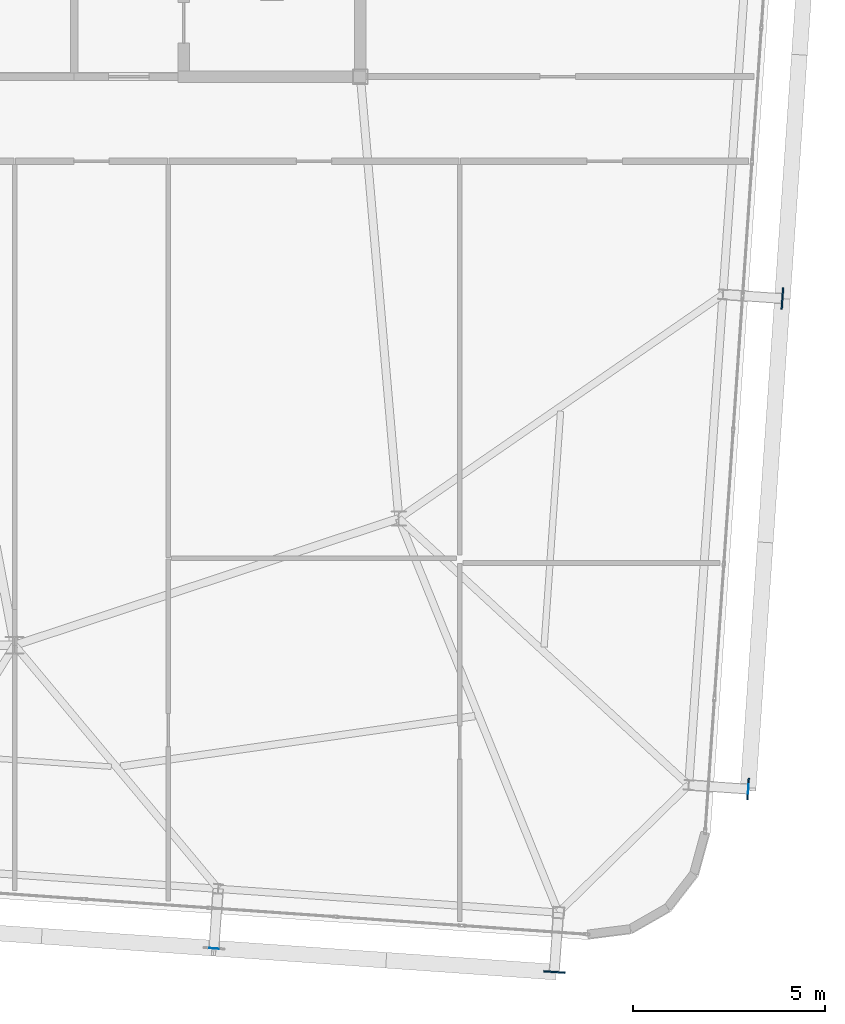
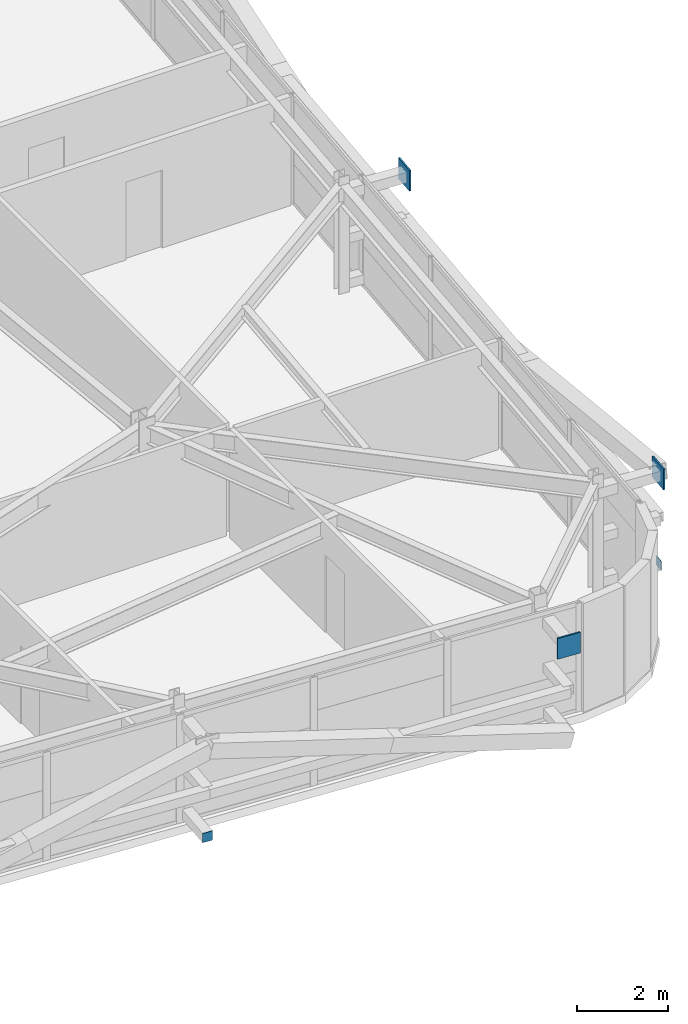
# One storey, part 36 of 47: 5 plates.
"""IFC4 building model written with IfcOpenShell, lengths in metres."""

from ifc_helpers import new_model, si_unit, direction, frame, origin, origin_2d, place, context, subcontext, project, spatial, rectangle, extrude, source, transform, mapped, material, layer, layer_set, type_object, element, save


model = new_model("IFC4")

# Units and contexts
model_context = context("Model", 3, precision=1e-05, world=origin(), true_north=direction((0.0, 1.0)))
body_context = subcontext(model_context, "Body", "Model", "MODEL_VIEW")
ifc_project = project(units=[si_unit("LENGTHUNIT", "METRE"), si_unit("AREAUNIT", "SQUARE_METRE"), si_unit("VOLUMEUNIT", "CUBIC_METRE"), si_unit("PLANEANGLEUNIT", "RADIAN"), si_unit("MASSUNIT", "GRAM", prefix="KILO")], contexts=[model_context])

# Site, building, storey
site_placement = place(None, origin())
site = spatial("IfcSite", under=ifc_project, at=site_placement, CompositionType="ELEMENT")
building_placement = place(site_placement, origin())
building = spatial("IfcBuilding", under=site, at=building_placement, Name="Taldren Reach Tower", CompositionType="ELEMENT")
storey_placement = place(building_placement, frame((0.0, 0.0, 142.449951171875)))
storey = spatial("IfcBuildingStorey", under=building, at=storey_placement, Name="L43", CompositionType="ELEMENT", Elevation=142.449951171875)

# Plates
ifc_material_1 = material(Name="Steel Gr 450 (C450L0)", Category="steel")
ifc_layer_1 = layer(ifc_material_1, 0.0400390625)
ifc_layer_set_1 = layer_set([ifc_layer_1], Name="Steel Gr 450 (C450L0)")
plate_type_1 = type_object("IfcPlateType", Name="PL-GUSSET-40", PredefinedType="SHEET", material=ifc_layer_set_1)
shared_shape_1 = source(origin(), body_context, "Body", "SweptSolid", [
    extrude(rectangle(XDim=0.56005859375, YDim=0.0400390625, at=origin_2d()), origin(), (0.0, 0.0, 1.0), 0.56005859375),
])
for number, where, z_axis, x_axis, name in (
    (1, (56.04736328125, 0.695068359375, 2.3701171875), (0.0, 0.0, 1.0), (0.99756405026, -0.069756473744, 0.0), "Exoskeleton star-node gusset plate B3-S6 L43"),
    (2, (61.091552734375, 5.454833984375, 2.3701171875), (0.0, 0.0, 1.0), (0.069756473744, 0.99756405026, 0.0), "Exoskeleton star-node gusset plate B3-E1 L43"),
    (3, (61.984375, 18.2236328125, 2.3701171875), (0.0, 0.0, 1.0), (0.069756473744, 0.99756405026, 0.0), "Exoskeleton star-node gusset plate B3-E2 L43"),
):
    element("IfcPlate", number, at=place(storey_placement, frame(where, z_axis=z_axis, x_axis=x_axis)), inside=storey, type_object=plate_type_1, Name=name, PredefinedType="SHEET", context=body_context, shape_type="MappedRepresentation", body=[
        mapped(shared_shape_1, transform((0.0, 0.0, 0.0), scale=1.0)),
    ])
ifc_material_2 = material(Name="Steel Gr 350 (C350L0)", Category="steel")
ifc_layer_2 = layer(ifc_material_2, 0.011962890625)
ifc_layer_set_2 = layer_set([ifc_layer_2], Name="Steel Gr 350 (C350L0)")
plate_type_2 = type_object("IfcPlateType", Name="PL-CAP-250", PredefinedType="SHEET", material=ifc_layer_set_2)
shared_shape_2 = source(origin(), body_context, "Body", "SweptSolid", [
    extrude(rectangle(XDim=0.25, YDim=0.011962890625, at=origin_2d()), origin(), (0.0, 0.0, 1.0), 0.25),
])
plate_1_placement = place(storey_placement, frame((47.1884765625, 1.308349609375, 0.094970703125), z_axis=(0.0, 0.0, 1.0), x_axis=(0.99756405026, -0.069756473744, 0.0)))
element("IfcPlate", 4, at=plate_1_placement, inside=storey, type_object=plate_type_2, Name="Tie strut end cap plate B3-S5 L43", PredefinedType="SHEET", context=body_context, shape_type="MappedRepresentation", body=[
    mapped(shared_shape_2, transform((0.0, 0.0, 0.0), scale=1.0)),
])
shared_shape_3 = source(origin(), body_context, "Body", "SweptSolid", [
    extrude(rectangle(XDim=0.011962890625, YDim=0.25, at=origin_2d()), origin(), (0.0, 0.0, 1.0), 0.25),
])
plate_2_placement = place(storey_placement, frame((61.09765625, 5.454345703125, 0.094970703125), z_axis=(0.0, 0.0, 1.0), x_axis=(0.99756405026, -0.069756473744, 0.0)))
element("IfcPlate", 5, at=plate_2_placement, inside=storey, type_object=plate_type_2, Name="Tie strut end cap plate B3-E1 L43", PredefinedType="SHEET", context=body_context, shape_type="MappedRepresentation", body=[
    mapped(shared_shape_3, transform((0.0, 0.0, 0.0), scale=1.0)),
])

save(model, "model.ifc")
